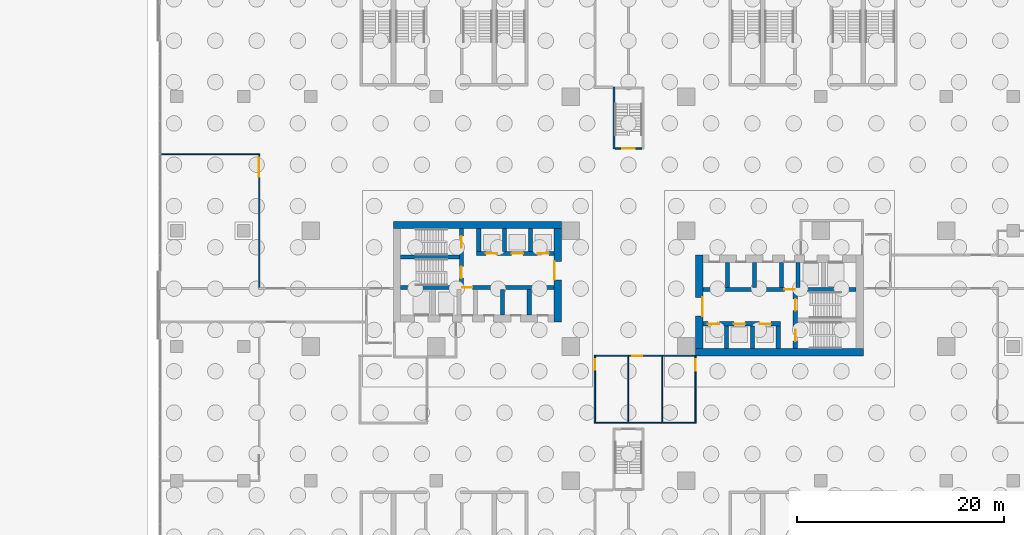
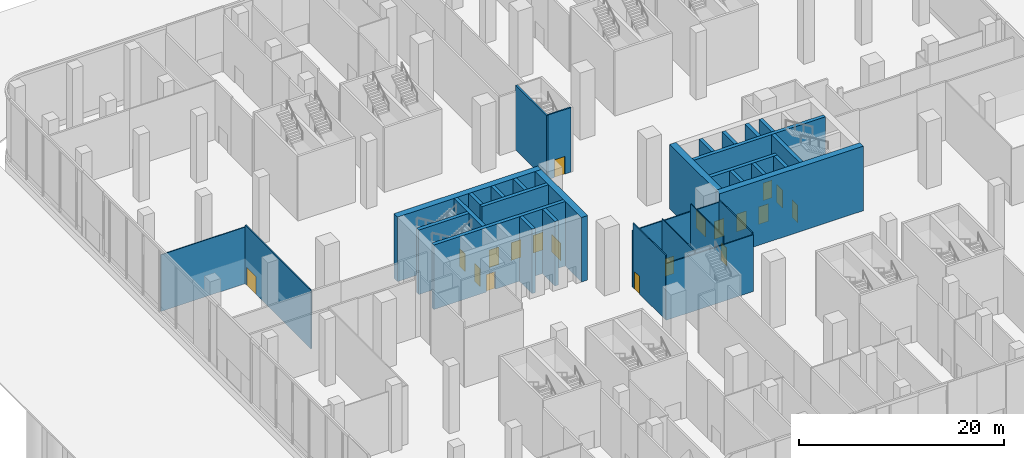
# One storey, part 19 of 27: 33 walls, 19 doors, 19 openings.
"""IFC4 building model written with IfcOpenShell, lengths in metres."""

from ifc_helpers import new_model, si_unit, direction, frame, frame_2d, origin, place, context, subcontext, project, spatial, rectangle, extrude, source, transform, mapped, material, layer, layer_set, type_object, element, fill, save


model = new_model("IFC4")

# Units and contexts
model_context = context("Model", 3, precision=1e-05, world=origin(), true_north=direction((0.0, 1.0)))
body_context = subcontext(model_context, "Body", "Model", "MODEL_VIEW")
ifc_project = project(units=[si_unit("LENGTHUNIT", "METRE"), si_unit("AREAUNIT", "SQUARE_METRE"), si_unit("VOLUMEUNIT", "CUBIC_METRE"), si_unit("PLANEANGLEUNIT", "RADIAN"), si_unit("MASSUNIT", "GRAM", prefix="KILO")], contexts=[model_context])

# Site, building, storey
site_placement = place(None, origin())
site = spatial("IfcSite", under=ifc_project, at=site_placement, CompositionType="ELEMENT")
building_placement = place(site_placement, origin())
building = spatial("IfcBuilding", under=site, at=building_placement, Name="Trellis Farm Tower", CompositionType="ELEMENT")
storey_placement = place(building_placement, origin())
storey = spatial("IfcBuildingStorey", under=building, at=storey_placement, Name="L00", CompositionType="ELEMENT", Elevation=0.0)

# Wall, openings, doors
ifc_material_1 = material(Name="Concrete C80/95", Category="concrete")
ifc_layer_1 = layer(ifc_material_1, 0.39990234375)
ifc_layer_set_1 = layer_set([ifc_layer_1], Name="CORE INNER WALL 400 CONCRETE C80/95")
wall_type_1 = type_object("IfcWallType", Name="CORE INNER WALL 400 CONCRETE C80/95", PredefinedType="SHEAR", material=ifc_layer_set_1)
wall_1_placement = place(storey_placement, frame((7.199951171875, -3.39990234375, 0.0), z_axis=(0.0, 0.0, 1.0), x_axis=(1.0, 0.0, 0.0)))
wall_1 = element("IfcWall", 1, at=wall_1_placement, inside=storey, type_object=wall_type_1, Name="Core wall", PredefinedType="SHEAR", context=body_context, shape_type="SweptSolid", body=[
    extrude(rectangle(XDim=7.5, YDim=0.39990234375, at=frame_2d((3.75, 0.0))), origin(), (0.0, 0.0, 1.0), 7.699951171875),
])
shared_shape_1 = source(origin(), body_context, "Body", "SweptSolid", [
    extrude(rectangle(XDim=1.10009765625, YDim=2.10009765625, at=frame_2d((0.550048828125, 1.050048828125))), frame((0.0, 0.2099609375, 0.0), z_axis=(0.0, -1.0, 0.0), x_axis=(1.0, 0.0, 0.0)), (0.0, 0.0, 1.0), 0.419921875),
])
opening_1_placement = place(wall_1_placement, frame((0.5, 0.0, 0.0)))
opening_1 = element("IfcOpeningElement", 2, at=opening_1_placement, cuts=wall_1, Name="Opening LD1", PredefinedType="OPENING", context=body_context, shape_type="MappedRepresentation", body=[
    mapped(shared_shape_1, transform((0.0, 0.0, 0.0))),
])
opening_2_placement = place(wall_1_placement, frame((3.0, 0.0, 0.0)))
opening_2 = element("IfcOpeningElement", 3, at=opening_2_placement, cuts=wall_1, Name="Opening LD2", PredefinedType="OPENING", context=body_context, shape_type="MappedRepresentation", body=[
    mapped(shared_shape_1, transform((0.0, 0.0, 0.0))),
])
opening_3_placement = place(wall_1_placement, frame((5.5, 0.0, 0.0)))
opening_3 = element("IfcOpeningElement", 4, at=opening_3_placement, cuts=wall_1, Name="Opening LD3", PredefinedType="OPENING", context=body_context, shape_type="MappedRepresentation", body=[
    mapped(shared_shape_1, transform((0.0, 0.0, 0.0))),
])
ifc_material_2 = material(Name="Stainless steel", Category="steel")
door_type_1 = type_object("IfcDoorType", Name="LIFT LANDING DOOR 1100 X 2100", OperationType="DOUBLE_DOOR_SLIDING", PredefinedType="DOOR", material=ifc_material_2)
shared_shape_2 = source(origin(), body_context, "Body", "SweptSolid", [
    extrude(rectangle(XDim=1.10009765625, YDim=2.10009765625, at=frame_2d((0.550048828125, 1.050048828125))), frame((0.0, 0.02490234375, 0.0), z_axis=(0.0, -1.0, 0.0), x_axis=(1.0, 0.0, 0.0)), (0.0, 0.0, 1.0), 0.050048828125),
])
door_1_placement = place(opening_1_placement, origin())
door_1 = element("IfcDoor", 5, at=door_1_placement, inside=storey, type_object=door_type_1, Name="Lift landing door", OperationType="DOUBLE_DOOR_SLIDING", OverallHeight=2.10009765625, OverallWidth=1.10009765625, PredefinedType="DOOR", context=body_context, shape_type="MappedRepresentation", body=[
    mapped(shared_shape_2, transform((0.0, 0.0, 0.0))),
])
fill(opening_1, door_1)
door_2_placement = place(opening_2_placement, origin())
door_2 = element("IfcDoor", 6, at=door_2_placement, inside=storey, type_object=door_type_1, Name="Lift landing door", OperationType="DOUBLE_DOOR_SLIDING", OverallHeight=2.10009765625, OverallWidth=1.10009765625, PredefinedType="DOOR", context=body_context, shape_type="MappedRepresentation", body=[
    mapped(shared_shape_2, transform((0.0, 0.0, 0.0))),
])
fill(opening_2, door_2)
door_3_placement = place(opening_3_placement, origin())
door_3 = element("IfcDoor", 7, at=door_3_placement, inside=storey, type_object=door_type_1, Name="Lift landing door", OperationType="DOUBLE_DOOR_SLIDING", OverallHeight=2.10009765625, OverallWidth=1.10009765625, PredefinedType="DOOR", context=body_context, shape_type="MappedRepresentation", body=[
    mapped(shared_shape_2, transform((0.0, 0.0, 0.0))),
])
fill(opening_3, door_3)

# Wall
ifc_layer_2 = layer(ifc_material_1, 0.699951171875)
ifc_layer_set_2 = layer_set([ifc_layer_2], Name="CORE OUTER WALL 700 CONCRETE C80/95")
wall_type_2 = type_object("IfcWallType", Name="CORE OUTER WALL 700 CONCRETE C80/95", PredefinedType="SHEAR", material=ifc_layer_set_2)
wall_2_placement = place(storey_placement, frame((6.5, -6.14990234375, 0.0), z_axis=(0.0, 0.0, 1.0), x_axis=(1.0, 0.0, 0.0)))
element("IfcWall", 8, at=wall_2_placement, inside=storey, type_object=wall_type_2, Name="Core wall", PredefinedType="SHEAR", context=body_context, shape_type="SweptSolid", body=[
    extrude(rectangle(XDim=16.25, YDim=0.699951171875, at=frame_2d((8.125, 0.0))), origin(), (0.0, 0.0, 1.0), 7.699951171875),
])

# Wall, opening, door
wall_3_placement = place(storey_placement, frame((6.85009765625, -5.800048828125, 0.0), z_axis=(0.0, 0.0, 1.0), x_axis=(0.0, 1.0, 0.0)))
wall_3 = element("IfcWall", 9, at=wall_3_placement, inside=storey, type_object=wall_type_2, Name="Core wall", PredefinedType="SHEAR", context=body_context, shape_type="SweptSolid", body=[
    extrude(rectangle(XDim=9.050048828125, YDim=0.699951171875, at=frame_2d((4.52490234375, 0.0))), origin(), (0.0, 0.0, 1.0), 7.699951171875),
])
shared_shape_3 = source(origin(), body_context, "Body", "SweptSolid", [
    extrude(rectangle(XDim=1.800048828125, YDim=2.10009765625, at=frame_2d((0.89990234375, 1.050048828125))), frame((0.0, 0.360107421875, 0.0), z_axis=(0.0, -1.0, 0.0), x_axis=(1.0, 0.0, 0.0)), (0.0, 0.0, 1.0), 0.72021484375),
])
opening_4_placement = place(wall_3_placement, frame((3.14990234375, 0.0, 0.0)))
opening_4 = element("IfcOpeningElement", 10, at=opening_4_placement, cuts=wall_3, Name="Opening DC1", PredefinedType="OPENING", context=body_context, shape_type="MappedRepresentation", body=[
    mapped(shared_shape_3, transform((0.0, 0.0, 0.0))),
])
ifc_material_3 = material(Name="Steel", Category="steel")
door_type_2 = type_object("IfcDoorType", Name="CORE FIRE DOOR DOUBLE 1800 X 2100", OperationType="DOUBLE_DOOR_SINGLE_SWING", PredefinedType="DOOR", material=ifc_material_3)
shared_shape_4 = source(origin(), body_context, "Body", "SweptSolid", [
    extrude(rectangle(XDim=1.800048828125, YDim=2.10009765625, at=frame_2d((0.89990234375, 1.050048828125))), frame((0.0, -0.27490234375, 0.0), z_axis=(0.0, -1.0, 0.0), x_axis=(1.0, 0.0, 0.0)), (0.0, 0.0, 1.0), 0.050048828125),
])
door_4_placement = place(opening_4_placement, origin())
door_4 = element("IfcDoor", 11, at=door_4_placement, inside=storey, type_object=door_type_2, Name="Core door", OperationType="DOUBLE_DOOR_SINGLE_SWING", OverallHeight=2.10009765625, OverallWidth=1.800048828125, PredefinedType="DOOR", context=body_context, shape_type="MappedRepresentation", body=[
    mapped(shared_shape_4, transform((0.0, 0.0, 0.0))),
])
fill(opening_4, door_4)

# Walls
ifc_material_4 = material(Name="Plasterboard on steel studs", Category="steel")
ifc_layer_3 = layer(ifc_material_4, 0.10009765625)
ifc_layer_set_3 = layer_set([ifc_layer_3], Name="PARTITION 100 STUD EI 30")
wall_type_3 = type_object("IfcWallType", Name="PARTITION 100 STUD EI 30", PredefinedType="PARTITIONING", material=ifc_layer_set_3)
wall_4_placement = place(storey_placement, frame((0.0, -12.949951171875, 0.0), z_axis=(0.0, 0.0, 1.0), x_axis=(0.0, 1.0, 0.0)))
element("IfcWall", 12, at=wall_4_placement, inside=storey, type_object=wall_type_3, Name="Partition PW2", PredefinedType="PARTITIONING", context=body_context, shape_type="SweptSolid", body=[
    extrude(rectangle(XDim=6.387451171875, YDim=0.10009765625, at=frame_2d((3.19384765625, 0.0))), origin(), (0.0, 0.0, 1.0), 7.077392578125),
])
wall_5_placement = place(storey_placement, frame((3.25, -12.949951171875, 0.0), z_axis=(0.0, 0.0, 1.0), x_axis=(0.0, 1.0, 0.0)))
element("IfcWall", 13, at=wall_5_placement, inside=storey, type_object=wall_type_3, Name="Partition PW2", PredefinedType="PARTITIONING", context=body_context, shape_type="SweptSolid", body=[
    extrude(rectangle(XDim=6.387451171875, YDim=0.10009765625, at=frame_2d((3.19384765625, 0.0))), origin(), (0.0, 0.0, 1.0), 7.699951171875),
])
wall_6_placement = place(storey_placement, frame((-3.3125, -13.0, 0.0), z_axis=(0.0, 0.0, 1.0), x_axis=(1.0, 0.0, 0.0)))
element("IfcWall", 14, at=wall_6_placement, inside=storey, type_object=wall_type_3, Name="Partition PW2", PredefinedType="PARTITIONING", context=body_context, shape_type="SweptSolid", body=[
    extrude(rectangle(XDim=9.875, YDim=0.10009765625, at=frame_2d((4.9375, 0.0))), origin(), (0.0, 0.0, 1.0), 6.76171875),
])

# Wall, opening, door
ifc_material_5 = material(Name="Plasterboard on steel studs, mineral wool", Category="steel")
ifc_layer_4 = layer(ifc_material_5, 0.125)
ifc_layer_set_4 = layer_set([ifc_layer_4], Name="PARTITION 125 STUD EI 60")
wall_type_4 = type_object("IfcWallType", Name="PARTITION 125 STUD EI 60", PredefinedType="PARTITIONING", material=ifc_layer_set_4)
wall_7_placement = place(storey_placement, frame((-3.25, -6.5625, 0.0), z_axis=(0.0, 0.0, 1.0), x_axis=(0.0, -1.0, 0.0)))
wall_7 = element("IfcWall", 15, at=wall_7_placement, inside=storey, type_object=wall_type_4, Name="Partition PW1", PredefinedType="PARTITIONING", context=body_context, shape_type="SweptSolid", body=[
    extrude(rectangle(XDim=6.387451171875, YDim=0.125, at=frame_2d((3.19384765625, 0.0))), origin(), (0.0, 0.0, 1.0), 7.699951171875),
])
shared_shape_5 = source(origin(), body_context, "Body", "SweptSolid", [
    extrude(rectangle(XDim=1.0, YDim=2.10009765625, at=frame_2d((0.5, 1.050048828125))), frame((0.0, 0.072509765625, 0.0), z_axis=(0.0, -1.0, 0.0), x_axis=(1.0, 0.0, 0.0)), (0.0, 0.0, 1.0), 0.14501953125),
])
opening_5_placement = place(wall_7_placement, frame((0.28759765625, 0.0, 0.0)))
opening_5 = element("IfcOpeningElement", 16, at=opening_5_placement, cuts=wall_7, Name="Opening D101", PredefinedType="OPENING", context=body_context, shape_type="MappedRepresentation", body=[
    mapped(shared_shape_5, transform((0.0, 0.0, 0.0))),
])
ifc_material_6 = material(Name="Fire-rated timber door leaf in a hollow metal frame", Category="wood")
door_type_3 = type_object("IfcDoorType", Name="DOOR 1000x2100 FD30S", OperationType="NOTDEFINED", PredefinedType="DOOR", material=ifc_material_6)
shared_shape_6 = source(origin(), body_context, "Body", "SweptSolid", [
    extrude(rectangle(XDim=1.0, YDim=2.10009765625, at=frame_2d((0.5, 1.050048828125))), frame((0.0, 0.02490234375, 0.0), z_axis=(0.0, -1.0, 0.0), x_axis=(1.0, 0.0, 0.0)), (0.0, 0.0, 1.0), 0.050048828125),
])
door_5_placement = place(opening_5_placement, origin())
door_5 = element("IfcDoor", 17, at=door_5_placement, inside=storey, type_object=door_type_3, Name="Door D101", OperationType="SINGLE_SWING_LEFT", OverallHeight=2.10009765625, OverallWidth=1.0, PredefinedType="DOOR", context=body_context, shape_type="MappedRepresentation", body=[
    mapped(shared_shape_6, transform((0.0, 0.0, 0.0))),
])
fill(opening_5, door_5)

wall_8_placement = place(storey_placement, frame((6.5, -12.949951171875, 0.0), z_axis=(0.0, 0.0, 1.0), x_axis=(0.0, 1.0, 0.0)))
wall_8 = element("IfcWall", 18, at=wall_8_placement, inside=storey, type_object=wall_type_4, Name="Partition PW1", PredefinedType="PARTITIONING", context=body_context, shape_type="SweptSolid", body=[
    extrude(rectangle(XDim=6.387451171875, YDim=0.125, at=frame_2d((3.19384765625, 0.0))), origin(), (0.0, 0.0, 1.0), 6.99658203125),
])
shared_shape_7 = source(origin(), body_context, "Body", "SweptSolid", [
    extrude(rectangle(XDim=1.10009765625, YDim=2.10009765625, at=frame_2d((0.550048828125, 1.050048828125))), frame((0.0, 0.072509765625, 0.0), z_axis=(0.0, -1.0, 0.0), x_axis=(1.0, 0.0, 0.0)), (0.0, 0.0, 1.0), 0.14501953125),
])
opening_6_placement = place(wall_8_placement, frame((5.0, 0.0, 0.0)))
opening_6 = element("IfcOpeningElement", 19, at=opening_6_placement, cuts=wall_8, Name="Opening D501", PredefinedType="OPENING", context=body_context, shape_type="MappedRepresentation", body=[
    mapped(shared_shape_7, transform((0.0, 0.0, 0.0))),
])
door_type_4 = type_object("IfcDoorType", Name="DOOR 1100x2100 FD30S", OperationType="NOTDEFINED", PredefinedType="DOOR", material=ifc_material_6)
door_6_placement = place(opening_6_placement, origin())
door_6 = element("IfcDoor", 20, at=door_6_placement, inside=storey, type_object=door_type_4, Name="Door D501", OperationType="SINGLE_SWING_RIGHT", OverallHeight=2.10009765625, OverallWidth=1.10009765625, PredefinedType="DOOR", context=body_context, shape_type="MappedRepresentation", body=[
    mapped(shared_shape_2, transform((0.0, 0.0, 0.0))),
])
fill(opening_6, door_6)

wall_9_placement = place(storey_placement, frame((6.5625, -6.5, 0.0), z_axis=(0.0, 0.0, 1.0), x_axis=(-1.0, 0.0, 0.0)))
wall_9 = element("IfcWall", 21, at=wall_9_placement, inside=storey, type_object=wall_type_4, Name="Partition PW1", PredefinedType="PARTITIONING", context=body_context, shape_type="SweptSolid", body=[
    extrude(rectangle(XDim=9.875, YDim=0.125, at=frame_2d((4.9375, 0.0))), origin(), (0.0, 0.0, 1.0), 6.76171875),
])
opening_7_placement = place(wall_9_placement, frame((5.21240234375, 0.0, 0.0)))
opening_7 = element("IfcOpeningElement", 22, at=opening_7_placement, cuts=wall_9, Name="Opening D102", PredefinedType="OPENING", context=body_context, shape_type="MappedRepresentation", body=[
    mapped(shared_shape_5, transform((0.0, 0.0, 0.0))),
])
door_7_placement = place(opening_7_placement, origin())
door_7 = element("IfcDoor", 23, at=door_7_placement, inside=storey, type_object=door_type_3, Name="Door D102", OperationType="SINGLE_SWING_RIGHT", OverallHeight=2.10009765625, OverallWidth=1.0, PredefinedType="DOOR", context=body_context, shape_type="MappedRepresentation", body=[
    mapped(shared_shape_6, transform((0.0, 0.0, 0.0))),
])
fill(opening_7, door_7)

shared_shape_8 = source(origin(), body_context, "Body", "SweptSolid", [
    extrude(rectangle(XDim=9.050048828125, YDim=0.699951171875, at=frame_2d((4.52490234375, 0.0))), origin(), (0.0, 0.0, 1.0), 7.699951171875),
])
wall_10_placement = place(storey_placement, frame((-6.85009765625, 5.800048828125, 0.0), z_axis=(0.0, 0.0, 1.0), x_axis=(0.0, -1.0, 0.0)))
wall_10 = element("IfcWall", 24, at=wall_10_placement, inside=storey, type_object=wall_type_2, Name="Core wall", PredefinedType="SHEAR", context=body_context, shape_type="MappedRepresentation", body=[
    mapped(shared_shape_8, transform((0.0, 0.0, 0.0))),
])
opening_8_placement = place(wall_10_placement, frame((3.14990234375, 0.0, 0.0)))
opening_8 = element("IfcOpeningElement", 25, at=opening_8_placement, cuts=wall_10, Name="Opening DC87", PredefinedType="OPENING", context=body_context, shape_type="MappedRepresentation", body=[
    mapped(shared_shape_3, transform((0.0, 0.0, 0.0))),
])
door_8_placement = place(opening_8_placement, origin())
door_8 = element("IfcDoor", 26, at=door_8_placement, inside=storey, type_object=door_type_2, Name="Core door", OperationType="DOUBLE_DOOR_SINGLE_SWING", OverallHeight=2.10009765625, OverallWidth=1.800048828125, PredefinedType="DOOR", context=body_context, shape_type="MappedRepresentation", body=[
    mapped(shared_shape_4, transform((0.0, 0.0, 0.0))),
])
fill(opening_8, door_8)

# Walls
shared_shape_9 = source(origin(), body_context, "Body", "SweptSolid", [
    extrude(rectangle(XDim=2.199951171875, YDim=0.39990234375, at=frame_2d((1.10009765625, 0.0))), origin(), (0.0, 0.0, 1.0), 7.699951171875),
])
for number, where, z_axis, x_axis, name in (
    (27, (9.5, -5.800048828125, 0.0), (0.0, 0.0, 1.0), (0.0, 1.0, 0.0), "Core wall"),
    (28, (12.0, -5.800048828125, 0.0), (0.0, 0.0, 1.0), (0.0, 1.0, 0.0), "Core wall"),
    (29, (14.5, -5.800048828125, 0.0), (0.0, 0.0, 1.0), (0.0, 1.0, 0.0), "Core wall"),
    (30, (-9.5, 5.800048828125, 0.0), (0.0, 0.0, 1.0), (0.0, -1.0, 0.0), "Core wall"),
    (31, (-12.0, 5.800048828125, 0.0), (0.0, 0.0, 1.0), (0.0, -1.0, 0.0), "Core wall"),
    (32, (-14.5, 5.800048828125, 0.0), (0.0, 0.0, 1.0), (0.0, -1.0, 0.0), "Core wall"),
):
    element("IfcWall", number, at=place(storey_placement, frame(where, z_axis=z_axis, x_axis=x_axis)), inside=storey, type_object=wall_type_1, Name=name, PredefinedType="SHEAR", context=body_context, shape_type="MappedRepresentation", body=[
        mapped(shared_shape_9, transform((0.0, 0.0, 0.0))),
    ])
shared_shape_10 = source(origin(), body_context, "Body", "SweptSolid", [
    extrude(rectangle(XDim=2.449951171875, YDim=0.39990234375, at=frame_2d((1.22509765625, 0.0))), origin(), (0.0, 0.0, 1.0), 7.699951171875),
])
for number, where, z_axis, x_axis, name in (
    (33, (9.60009765625, 0.10009765625, 0.0), (0.0, 0.0, 1.0), (0.0, 1.0, 0.0), "Core wall"),
    (34, (12.199951171875, 0.10009765625, 0.0), (0.0, 0.0, 1.0), (0.0, 1.0, 0.0), "Core wall"),
    (35, (14.800048828125, 0.10009765625, 0.0), (0.0, 0.0, 1.0), (0.0, 1.0, 0.0), "Core wall"),
    (36, (16.39990234375, 0.10009765625, 0.0), (0.0, 0.0, 1.0), (0.0, 1.0, 0.0), "Core wall"),
    (37, (-9.60009765625, -0.10009765625, 0.0), (0.0, 0.0, 1.0), (0.0, -1.0, 0.0), "Core wall"),
    (38, (-12.199951171875, -0.10009765625, 0.0), (0.0, 0.0, 1.0), (0.0, -1.0, 0.0), "Core wall"),
):
    element("IfcWall", number, at=place(storey_placement, frame(where, z_axis=z_axis, x_axis=x_axis)), inside=storey, type_object=wall_type_1, Name=name, PredefinedType="SHEAR", context=body_context, shape_type="MappedRepresentation", body=[
        mapped(shared_shape_10, transform((0.0, 0.0, 0.0))),
    ])
shared_shape_11 = source(origin(), body_context, "Body", "SweptSolid", [
    extrude(rectangle(XDim=16.25, YDim=0.699951171875, at=frame_2d((8.125, 0.0))), origin(), (0.0, 0.0, 1.0), 7.699951171875),
])
wall_11_placement = place(storey_placement, frame((-6.5, 6.14990234375, 0.0), z_axis=(0.0, 0.0, 1.0), x_axis=(-1.0, 0.0, 0.0)))
element("IfcWall", 39, at=wall_11_placement, inside=storey, type_object=wall_type_2, Name="Core wall", PredefinedType="SHEAR", context=body_context, shape_type="MappedRepresentation", body=[
    mapped(shared_shape_11, transform((0.0, 0.0, 0.0))),
])

# Wall, openings, doors
shared_shape_12 = source(origin(), body_context, "Body", "SweptSolid", [
    extrude(rectangle(XDim=7.5, YDim=0.39990234375, at=frame_2d((3.75, 0.0))), origin(), (0.0, 0.0, 1.0), 7.699951171875),
])
wall_12_placement = place(storey_placement, frame((-7.199951171875, 3.39990234375, 0.0), z_axis=(0.0, 0.0, 1.0), x_axis=(-1.0, 0.0, 0.0)))
wall_12 = element("IfcWall", 40, at=wall_12_placement, inside=storey, type_object=wall_type_1, Name="Core wall", PredefinedType="SHEAR", context=body_context, shape_type="MappedRepresentation", body=[
    mapped(shared_shape_12, transform((0.0, 0.0, 0.0))),
])
opening_9_placement = place(wall_12_placement, frame((0.5, 0.0, 0.0)))
opening_9 = element("IfcOpeningElement", 41, at=opening_9_placement, cuts=wall_12, Name="Opening LD9", PredefinedType="OPENING", context=body_context, shape_type="MappedRepresentation", body=[
    mapped(shared_shape_1, transform((0.0, 0.0, 0.0))),
])
opening_10_placement = place(wall_12_placement, frame((3.0, 0.0, 0.0)))
opening_10 = element("IfcOpeningElement", 42, at=opening_10_placement, cuts=wall_12, Name="Opening LD10", PredefinedType="OPENING", context=body_context, shape_type="MappedRepresentation", body=[
    mapped(shared_shape_1, transform((0.0, 0.0, 0.0))),
])
opening_11_placement = place(wall_12_placement, frame((5.5, 0.0, 0.0)))
opening_11 = element("IfcOpeningElement", 43, at=opening_11_placement, cuts=wall_12, Name="Opening LD11", PredefinedType="OPENING", context=body_context, shape_type="MappedRepresentation", body=[
    mapped(shared_shape_1, transform((0.0, 0.0, 0.0))),
])
door_9_placement = place(opening_9_placement, origin())
door_9 = element("IfcDoor", 44, at=door_9_placement, inside=storey, type_object=door_type_1, Name="Lift landing door", OperationType="DOUBLE_DOOR_SLIDING", OverallHeight=2.10009765625, OverallWidth=1.10009765625, PredefinedType="DOOR", context=body_context, shape_type="MappedRepresentation", body=[
    mapped(shared_shape_2, transform((0.0, 0.0, 0.0))),
])
fill(opening_9, door_9)
door_10_placement = place(opening_10_placement, origin())
door_10 = element("IfcDoor", 45, at=door_10_placement, inside=storey, type_object=door_type_1, Name="Lift landing door", OperationType="DOUBLE_DOOR_SLIDING", OverallHeight=2.10009765625, OverallWidth=1.10009765625, PredefinedType="DOOR", context=body_context, shape_type="MappedRepresentation", body=[
    mapped(shared_shape_2, transform((0.0, 0.0, 0.0))),
])
fill(opening_10, door_10)
door_11_placement = place(opening_11_placement, origin())
door_11 = element("IfcDoor", 46, at=door_11_placement, inside=storey, type_object=door_type_1, Name="Lift landing door", OperationType="DOUBLE_DOOR_SLIDING", OverallHeight=2.10009765625, OverallWidth=1.10009765625, PredefinedType="DOOR", context=body_context, shape_type="MappedRepresentation", body=[
    mapped(shared_shape_2, transform((0.0, 0.0, 0.0))),
])
fill(opening_11, door_11)

# Wall, opening, door
shared_shape_13 = source(origin(), body_context, "Body", "SweptSolid", [
    extrude(rectangle(XDim=14.85009765625, YDim=0.39990234375, at=frame_2d((7.425048828125, 0.0))), origin(), (0.0, 0.0, 1.0), 7.699951171875),
])
wall_13_placement = place(storey_placement, frame((7.199951171875, -0.10009765625, 0.0), z_axis=(0.0, 0.0, 1.0), x_axis=(1.0, 0.0, 0.0)))
wall_13 = element("IfcWall", 47, at=wall_13_placement, inside=storey, type_object=wall_type_1, Name="Core wall", PredefinedType="SHEAR", context=body_context, shape_type="MappedRepresentation", body=[
    mapped(shared_shape_13, transform((0.0, 0.0, 0.0))),
])
shared_shape_14 = source(origin(), body_context, "Body", "SweptSolid", [
    extrude(rectangle(XDim=1.0, YDim=2.10009765625, at=frame_2d((0.5, 1.050048828125))), frame((0.0, 0.2099609375, 0.0), z_axis=(0.0, -1.0, 0.0), x_axis=(1.0, 0.0, 0.0)), (0.0, 0.0, 1.0), 0.419921875),
])
opening_12_placement = place(wall_13_placement, frame((7.89990234375, 0.0, 0.0)))
opening_12 = element("IfcOpeningElement", 48, at=opening_12_placement, cuts=wall_13, Name="Opening DC5", PredefinedType="OPENING", context=body_context, shape_type="MappedRepresentation", body=[
    mapped(shared_shape_14, transform((0.0, 0.0, 0.0))),
])
door_type_5 = type_object("IfcDoorType", Name="CORE FIRE DOOR 1000 X 2100", OperationType="NOTDEFINED", PredefinedType="DOOR", material=ifc_material_3)
door_12_placement = place(opening_12_placement, origin())
door_12 = element("IfcDoor", 49, at=door_12_placement, inside=storey, type_object=door_type_5, Name="Core door", OperationType="SINGLE_SWING_RIGHT", OverallHeight=2.10009765625, OverallWidth=1.0, PredefinedType="DOOR", context=body_context, shape_type="MappedRepresentation", body=[
    mapped(shared_shape_6, transform((0.0, 0.0, 0.0))),
])
fill(opening_12, door_12)

wall_14_placement = place(storey_placement, frame((-7.199951171875, 0.10009765625, 0.0), z_axis=(0.0, 0.0, 1.0), x_axis=(-1.0, 0.0, 0.0)))
wall_14 = element("IfcWall", 50, at=wall_14_placement, inside=storey, type_object=wall_type_1, Name="Core wall", PredefinedType="SHEAR", context=body_context, shape_type="MappedRepresentation", body=[
    mapped(shared_shape_13, transform((0.0, 0.0, 0.0))),
])
opening_13_placement = place(wall_14_placement, frame((7.89990234375, 0.0, 0.0)))
opening_13 = element("IfcOpeningElement", 51, at=opening_13_placement, cuts=wall_14, Name="Opening DC91", PredefinedType="OPENING", context=body_context, shape_type="MappedRepresentation", body=[
    mapped(shared_shape_14, transform((0.0, 0.0, 0.0))),
])
door_13_placement = place(opening_13_placement, origin())
door_13 = element("IfcDoor", 52, at=door_13_placement, inside=storey, type_object=door_type_5, Name="Core door", OperationType="SINGLE_SWING_RIGHT", OverallHeight=2.10009765625, OverallWidth=1.0, PredefinedType="DOOR", context=body_context, shape_type="MappedRepresentation", body=[
    mapped(shared_shape_6, transform((0.0, 0.0, 0.0))),
])
fill(opening_13, door_13)

# Wall, openings, doors
shared_shape_15 = source(origin(), body_context, "Body", "SweptSolid", [
    extrude(rectangle(XDim=5.5, YDim=0.39990234375, at=frame_2d((2.75, 0.0))), origin(), (0.0, 0.0, 1.0), 7.699951171875),
])
wall_15_placement = place(storey_placement, frame((16.14990234375, -5.800048828125, 0.0), z_axis=(0.0, 0.0, 1.0), x_axis=(0.0, 1.0, 0.0)))
wall_15 = element("IfcWall", 53, at=wall_15_placement, inside=storey, type_object=wall_type_1, Name="Core wall", PredefinedType="SHEAR", context=body_context, shape_type="MappedRepresentation", body=[
    mapped(shared_shape_15, transform((0.0, 0.0, 0.0))),
])
opening_14_placement = place(wall_15_placement, frame((0.72509765625, 0.0, 0.0)))
opening_14 = element("IfcOpeningElement", 54, at=opening_14_placement, cuts=wall_15, Name="Opening DC2", PredefinedType="OPENING", context=body_context, shape_type="MappedRepresentation", body=[
    mapped(shared_shape_1, transform((0.0, 0.0, 0.0))),
])
opening_15_placement = place(wall_15_placement, frame((3.675048828125, 0.0, 0.0)))
opening_15 = element("IfcOpeningElement", 55, at=opening_15_placement, cuts=wall_15, Name="Opening DC3", PredefinedType="OPENING", context=body_context, shape_type="MappedRepresentation", body=[
    mapped(shared_shape_1, transform((0.0, 0.0, 0.0))),
])
door_type_6 = type_object("IfcDoorType", Name="CORE FIRE DOOR 1100 X 2100", OperationType="NOTDEFINED", PredefinedType="DOOR", material=ifc_material_3)
door_14_placement = place(opening_14_placement, origin())
door_14 = element("IfcDoor", 56, at=door_14_placement, inside=storey, type_object=door_type_6, Name="Core door", OperationType="SINGLE_SWING_RIGHT", OverallHeight=2.10009765625, OverallWidth=1.10009765625, PredefinedType="DOOR", context=body_context, shape_type="MappedRepresentation", body=[
    mapped(shared_shape_2, transform((0.0, 0.0, 0.0))),
])
fill(opening_14, door_14)
door_15_placement = place(opening_15_placement, origin())
door_15 = element("IfcDoor", 57, at=door_15_placement, inside=storey, type_object=door_type_6, Name="Core door", OperationType="SINGLE_SWING_LEFT", OverallHeight=2.10009765625, OverallWidth=1.10009765625, PredefinedType="DOOR", context=body_context, shape_type="MappedRepresentation", body=[
    mapped(shared_shape_2, transform((0.0, 0.0, 0.0))),
])
fill(opening_15, door_15)

wall_16_placement = place(storey_placement, frame((-16.14990234375, 5.800048828125, 0.0), z_axis=(0.0, 0.0, 1.0), x_axis=(0.0, -1.0, 0.0)))
wall_16 = element("IfcWall", 58, at=wall_16_placement, inside=storey, type_object=wall_type_1, Name="Core wall", PredefinedType="SHEAR", context=body_context, shape_type="MappedRepresentation", body=[
    mapped(shared_shape_15, transform((0.0, 0.0, 0.0))),
])
opening_16_placement = place(wall_16_placement, frame((0.72509765625, 0.0, 0.0)))
opening_16 = element("IfcOpeningElement", 59, at=opening_16_placement, cuts=wall_16, Name="Opening DC88", PredefinedType="OPENING", context=body_context, shape_type="MappedRepresentation", body=[
    mapped(shared_shape_1, transform((0.0, 0.0, 0.0))),
])
opening_17_placement = place(wall_16_placement, frame((3.675048828125, 0.0, 0.0)))
opening_17 = element("IfcOpeningElement", 60, at=opening_17_placement, cuts=wall_16, Name="Opening DC89", PredefinedType="OPENING", context=body_context, shape_type="MappedRepresentation", body=[
    mapped(shared_shape_1, transform((0.0, 0.0, 0.0))),
])
door_16_placement = place(opening_16_placement, origin())
door_16 = element("IfcDoor", 61, at=door_16_placement, inside=storey, type_object=door_type_6, Name="Core door", OperationType="SINGLE_SWING_RIGHT", OverallHeight=2.10009765625, OverallWidth=1.10009765625, PredefinedType="DOOR", context=body_context, shape_type="MappedRepresentation", body=[
    mapped(shared_shape_2, transform((0.0, 0.0, 0.0))),
])
fill(opening_16, door_16)
door_17_placement = place(opening_17_placement, origin())
door_17 = element("IfcDoor", 62, at=door_17_placement, inside=storey, type_object=door_type_6, Name="Core door", OperationType="SINGLE_SWING_LEFT", OverallHeight=2.10009765625, OverallWidth=1.10009765625, PredefinedType="DOOR", context=body_context, shape_type="MappedRepresentation", body=[
    mapped(shared_shape_2, transform((0.0, 0.0, 0.0))),
])
fill(opening_17, door_17)

# Walls
shared_shape_16 = source(origin(), body_context, "Body", "SweptSolid", [
    extrude(rectangle(XDim=5.699951171875, YDim=0.39990234375, at=frame_2d((2.85009765625, 0.0))), origin(), (0.0, 0.0, 1.0), 7.699951171875),
])
wall_17_placement = place(storey_placement, frame((-16.35009765625, 3.050048828125, 0.0), z_axis=(0.0, 0.0, 1.0), x_axis=(-1.0, 0.0, 0.0)))
element("IfcWall", 63, at=wall_17_placement, inside=storey, type_object=wall_type_1, Name="Core wall", PredefinedType="SHEAR", context=body_context, shape_type="MappedRepresentation", body=[
    mapped(shared_shape_16, transform((0.0, 0.0, 0.0))),
])
ifc_layer_5 = layer(ifc_material_1, 0.199951171875)
ifc_layer_set_5 = layer_set([ifc_layer_5], Name="CORE STAIR ENCLOSURE WALL 200 CONCRETE C80/95")
wall_type_5 = type_object("IfcWallType", Name="CORE STAIR ENCLOSURE WALL 200 CONCRETE C80/95", PredefinedType="SHEAR", material=ifc_layer_set_5)
shared_shape_17 = source(origin(), body_context, "Body", "SweptSolid", [
    extrude(rectangle(XDim=6.0, YDim=0.199951171875, at=frame_2d((3.0, 0.0))), origin(), (0.0, 0.0, 1.0), 7.699951171875),
])
wall_18_placement = place(storey_placement, frame((-1.39990234375, 13.5, 0.0), z_axis=(0.0, 0.0, 1.0), x_axis=(0.0, 1.0, 0.0)))
element("IfcWall", 64, at=wall_18_placement, inside=storey, type_object=wall_type_5, Name="Stair enclosure wall", PredefinedType="SHEAR", context=body_context, shape_type="MappedRepresentation", body=[
    mapped(shared_shape_17, transform((0.0, 0.0, 0.0))),
])

# Wall, opening, door
ifc_layer_6 = layer(ifc_material_1, 0.14990234375)
ifc_layer_set_6 = layer_set([ifc_layer_6], Name="CORE STAIR ENCLOSURE WALL 150 CONCRETE C80/95")
wall_type_6 = type_object("IfcWallType", Name="CORE STAIR ENCLOSURE WALL 150 CONCRETE C80/95", PredefinedType="SHEAR", material=ifc_layer_set_6)
shared_shape_18 = source(origin(), body_context, "Body", "SweptSolid", [
    extrude(rectangle(XDim=2.60009765625, YDim=0.14990234375, at=frame_2d((1.300048828125, 0.0))), origin(), (0.0, 0.0, 1.0), 7.699951171875),
])
wall_19_placement = place(storey_placement, frame((-1.300048828125, 13.574951171875, 0.0), z_axis=(0.0, 0.0, 1.0), x_axis=(1.0, 0.0, 0.0)))
wall_19 = element("IfcWall", 65, at=wall_19_placement, inside=storey, type_object=wall_type_6, Name="Stair enclosure wall", PredefinedType="SHEAR", context=body_context, shape_type="MappedRepresentation", body=[
    mapped(shared_shape_18, transform((0.0, 0.0, 0.0))),
])
shared_shape_19 = source(origin(), body_context, "Body", "SweptSolid", [
    extrude(rectangle(XDim=1.199951171875, YDim=2.10009765625, at=frame_2d((0.60009765625, 1.050048828125))), frame((0.0, 0.0849609375, 0.0), z_axis=(0.0, -1.0, 0.0), x_axis=(1.0, 0.0, 0.0)), (0.0, 0.0, 1.0), 0.169921875),
])
opening_18_placement = place(wall_19_placement, frame((0.699951171875, 0.0, 0.0)))
opening_18 = element("IfcOpeningElement", 66, at=opening_18_placement, cuts=wall_19, Name="Opening DC173", PredefinedType="OPENING", context=body_context, shape_type="MappedRepresentation", body=[
    mapped(shared_shape_19, transform((0.0, 0.0, 0.0))),
])
door_type_7 = type_object("IfcDoorType", Name="CORE FIRE DOOR 1200 X 2100", OperationType="NOTDEFINED", PredefinedType="DOOR", material=ifc_material_3)
shared_shape_20 = source(origin(), body_context, "Body", "SweptSolid", [
    extrude(rectangle(XDim=1.199951171875, YDim=2.10009765625, at=frame_2d((0.60009765625, 1.050048828125))), frame((0.0, 0.02490234375, 0.0), z_axis=(0.0, -1.0, 0.0), x_axis=(1.0, 0.0, 0.0)), (0.0, 0.0, 1.0), 0.050048828125),
])
door_18_placement = place(opening_18_placement, origin())
door_18 = element("IfcDoor", 67, at=door_18_placement, inside=storey, type_object=door_type_7, Name="Core door", OperationType="SINGLE_SWING_LEFT", OverallHeight=2.10009765625, OverallWidth=1.199951171875, PredefinedType="DOOR", context=body_context, shape_type="MappedRepresentation", body=[
    mapped(shared_shape_20, transform((0.0, 0.0, 0.0))),
])
fill(opening_18, door_18)

shared_shape_21 = source(origin(), body_context, "Body", "SweptSolid", [
    extrude(rectangle(XDim=12.849853515625, YDim=0.125, at=frame_2d((6.4248046875, 0.0))), origin(), (0.0, 0.0, 1.0), 6.99658203125),
])
wall_20_placement = place(storey_placement, frame((-35.75, 0.10009765625, 0.0), z_axis=(0.0, 0.0, 1.0), x_axis=(0.0, 1.0, 0.0)))
wall_20 = element("IfcWall", 68, at=wall_20_placement, inside=storey, type_object=wall_type_4, Name="Partition PW1", PredefinedType="PARTITIONING", context=body_context, shape_type="MappedRepresentation", body=[
    mapped(shared_shape_21, transform((0.0, 0.0, 0.0))),
])
shared_shape_22 = source(origin(), body_context, "Body", "SweptSolid", [
    extrude(rectangle(XDim=1.800048828125, YDim=2.10009765625, at=frame_2d((0.89990234375, 1.050048828125))), frame((0.0, 0.072509765625, 0.0), z_axis=(0.0, -1.0, 0.0), x_axis=(1.0, 0.0, 0.0)), (0.0, 0.0, 1.0), 0.14501953125),
])
opening_19_placement = place(wall_20_placement, frame((10.75, 0.0, 0.0)))
opening_19 = element("IfcOpeningElement", 69, at=opening_19_placement, cuts=wall_20, Name="Opening D204", PredefinedType="OPENING", context=body_context, shape_type="MappedRepresentation", body=[
    mapped(shared_shape_22, transform((0.0, 0.0, 0.0))),
])
door_type_8 = type_object("IfcDoorType", Name="DOOR PAIR 1800x2100 FD30S", OperationType="NOTDEFINED", PredefinedType="DOOR", material=ifc_material_6)
shared_shape_23 = source(origin(), body_context, "Body", "SweptSolid", [
    extrude(rectangle(XDim=1.800048828125, YDim=2.10009765625, at=frame_2d((0.89990234375, 1.050048828125))), frame((0.0, 0.02490234375, 0.0), z_axis=(0.0, -1.0, 0.0), x_axis=(1.0, 0.0, 0.0)), (0.0, 0.0, 1.0), 0.050048828125),
])
door_19_placement = place(opening_19_placement, origin())
door_19 = element("IfcDoor", 70, at=door_19_placement, inside=storey, type_object=door_type_8, Name="Door D204", OperationType="DOUBLE_DOOR_SINGLE_SWING", OverallHeight=2.10009765625, OverallWidth=1.800048828125, PredefinedType="DOOR", context=body_context, shape_type="MappedRepresentation", body=[
    mapped(shared_shape_23, transform((0.0, 0.0, 0.0))),
])
fill(opening_19, door_19)

# Wall
shared_shape_24 = source(origin(), body_context, "Body", "SweptSolid", [
    extrude(rectangle(XDim=9.612548828125, YDim=0.10009765625, at=frame_2d((4.80615234375, 0.0))), origin(), (0.0, 0.0, 1.0), 6.76171875),
])
wall_21_placement = place(storey_placement, frame((-45.300048828125, 13.0, 0.0), z_axis=(0.0, 0.0, 1.0), x_axis=(1.0, 0.0, 0.0)))
element("IfcWall", 71, at=wall_21_placement, inside=storey, type_object=wall_type_3, Name="Partition PW2", PredefinedType="PARTITIONING", context=body_context, shape_type="MappedRepresentation", body=[
    mapped(shared_shape_24, transform((0.0, 0.0, 0.0))),
])

save(model, "model.ifc")
